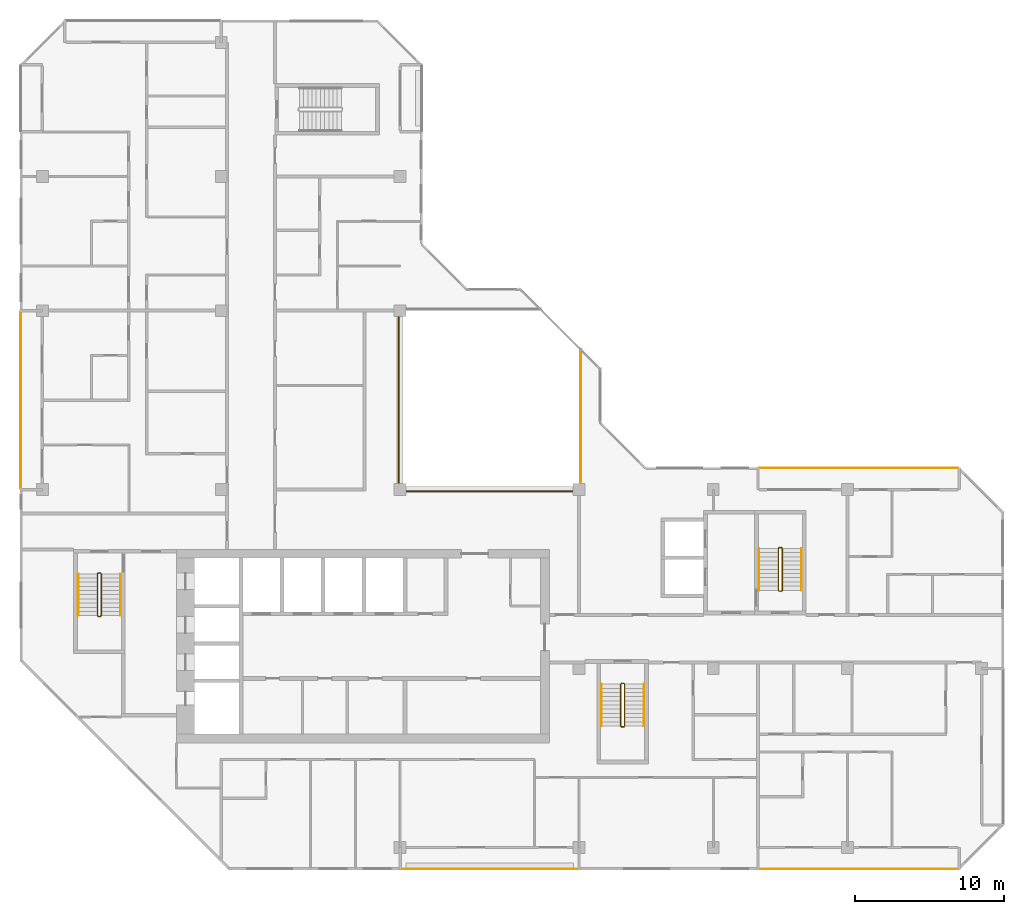
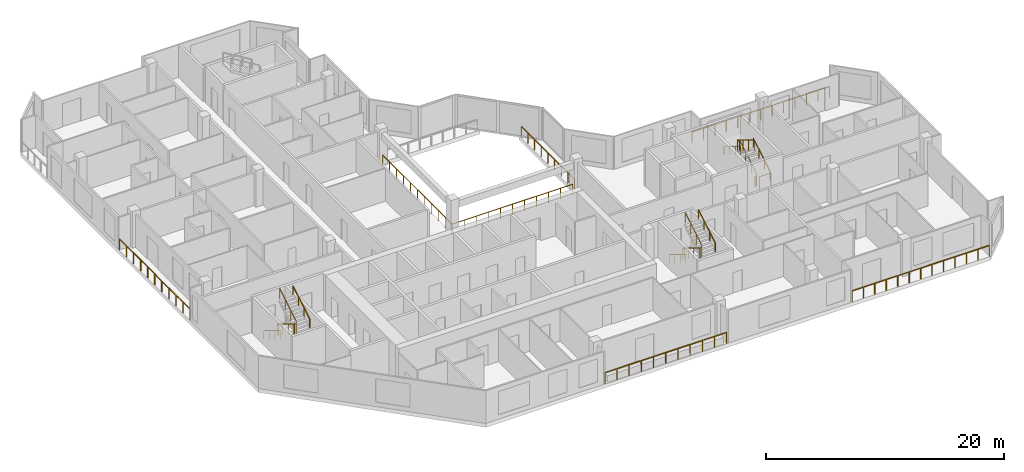
# One storey, part 12 of 13: 15 railings.
"""IFC4 building model written with IfcOpenShell, lengths in metres."""

from ifc_helpers import new_model, si_unit, direction, frame, origin, origin_2d, place, context, subcontext, project, spatial, rectangle, extrude, material, type_object, element, save


model = new_model("IFC4")

# Units and contexts
model_context = context("Model", 3, precision=1e-05, world=origin(), true_north=direction((0.0, 1.0)))
body_context = subcontext(model_context, "Body", "Model", "MODEL_VIEW")
ifc_project = project(units=[si_unit("LENGTHUNIT", "METRE"), si_unit("AREAUNIT", "SQUARE_METRE"), si_unit("VOLUMEUNIT", "CUBIC_METRE"), si_unit("PLANEANGLEUNIT", "RADIAN"), si_unit("MASSUNIT", "GRAM", prefix="KILO")], contexts=[model_context])

# Site, building, storey
site_placement = place(None, origin())
site = spatial("IfcSite", under=ifc_project, at=site_placement, CompositionType="ELEMENT")
building_placement = place(site_placement, origin())
building = spatial("IfcBuilding", under=site, at=building_placement, Name="Chenar Terraces", CompositionType="ELEMENT")
storey_placement = place(building_placement, frame((0.0, 0.0, 307.14990234375)))
storey = spatial("IfcBuildingStorey", under=building, at=storey_placement, Name="L72", CompositionType="ELEMENT", Elevation=307.14990234375)

# Railings
ifc_material_1 = material(Name="Powder-coated steel", Category="steel")
railing_type_1 = type_object("IfcRailingType", Name="Guard 1100 steel rail with glass infill", PredefinedType="GUARDRAIL", material=ifc_material_1)
railing_1_placement = place(storey_placement, frame((23.89990234375, 35.60009765625, 0.0)))
element("IfcRailing", 1, at=railing_1_placement, inside=storey, type_object=railing_type_1, Name="Guard L72-1", PredefinedType="GUARDRAIL", context=body_context, shape_type="SweptSolid", body=[
    extrude(rectangle(XDim=0.06005859375, YDim=0.06005859375, at=origin_2d()), frame((0.0, 0.0, 1.070068359375), z_axis=(0.0, -1.0, 0.0), x_axis=(1.0, 0.0, 0.0)), (0.0, 0.0, 1.0), 11.7001953125),
    extrude(rectangle(XDim=0.06005859375, YDim=0.06005859375, at=origin_2d()), frame((0.0, -11.7001953125, 1.070068359375), z_axis=(1.0, 0.0, 0.0), x_axis=(0.0, 1.0, 0.0)), (0.0, 0.0, 1.0), 11.7001953125),
    extrude(rectangle(XDim=0.050048828125, YDim=0.050048828125, at=origin_2d()), origin(), (0.0, 0.0, 1.0), 1.0400390625),
    extrude(rectangle(XDim=0.050048828125, YDim=0.050048828125, at=origin_2d()), frame((0.0, -1.169921875, 0.0)), (0.0, 0.0, 1.0), 1.0400390625),
    extrude(rectangle(XDim=0.050048828125, YDim=0.050048828125, at=origin_2d()), frame((0.0, -2.340087890625, 0.0)), (0.0, 0.0, 1.0), 1.0400390625),
    extrude(rectangle(XDim=0.050048828125, YDim=0.050048828125, at=origin_2d()), frame((0.0, -3.510009765625, 0.0)), (0.0, 0.0, 1.0), 1.0400390625),
    extrude(rectangle(XDim=0.050048828125, YDim=0.050048828125, at=origin_2d()), frame((0.0, -4.68017578125, 0.0)), (0.0, 0.0, 1.0), 1.0400390625),
    extrude(rectangle(XDim=0.050048828125, YDim=0.050048828125, at=origin_2d()), frame((0.0, -5.85009765625, 0.0)), (0.0, 0.0, 1.0), 1.0400390625),
    extrude(rectangle(XDim=0.050048828125, YDim=0.050048828125, at=origin_2d()), frame((0.0, -7.02001953125, 0.0)), (0.0, 0.0, 1.0), 1.0400390625),
    extrude(rectangle(XDim=0.050048828125, YDim=0.050048828125, at=origin_2d()), frame((0.0, -8.190185546875, 0.0)), (0.0, 0.0, 1.0), 1.0400390625),
    extrude(rectangle(XDim=0.050048828125, YDim=0.050048828125, at=origin_2d()), frame((0.0, -9.360107421875, 0.0)), (0.0, 0.0, 1.0), 1.0400390625),
    extrude(rectangle(XDim=0.050048828125, YDim=0.050048828125, at=origin_2d()), frame((0.0, -10.5302734375, 0.0)), (0.0, 0.0, 1.0), 1.0400390625),
    extrude(rectangle(XDim=0.050048828125, YDim=0.050048828125, at=origin_2d()), frame((0.0, -11.7001953125, 0.0)), (0.0, 0.0, 1.0), 1.0400390625),
    extrude(rectangle(XDim=0.050048828125, YDim=0.050048828125, at=origin_2d()), frame((1.169921875, -11.7001953125, 0.0)), (0.0, 0.0, 1.0), 1.0400390625),
    extrude(rectangle(XDim=0.050048828125, YDim=0.050048828125, at=origin_2d()), frame((2.340087890625, -11.7001953125, 0.0)), (0.0, 0.0, 1.0), 1.0400390625),
    extrude(rectangle(XDim=0.050048828125, YDim=0.050048828125, at=origin_2d()), frame((3.510009765625, -11.7001953125, 0.0)), (0.0, 0.0, 1.0), 1.0400390625),
    extrude(rectangle(XDim=0.050048828125, YDim=0.050048828125, at=origin_2d()), frame((4.68017578125, -11.7001953125, 0.0)), (0.0, 0.0, 1.0), 1.0400390625),
    extrude(rectangle(XDim=0.050048828125, YDim=0.050048828125, at=origin_2d()), frame((5.85009765625, -11.7001953125, 0.0)), (0.0, 0.0, 1.0), 1.0400390625),
    extrude(rectangle(XDim=0.050048828125, YDim=0.050048828125, at=origin_2d()), frame((7.02001953125, -11.7001953125, 0.0)), (0.0, 0.0, 1.0), 1.0400390625),
    extrude(rectangle(XDim=0.050048828125, YDim=0.050048828125, at=origin_2d()), frame((8.190185546875, -11.7001953125, 0.0)), (0.0, 0.0, 1.0), 1.0400390625),
    extrude(rectangle(XDim=0.050048828125, YDim=0.050048828125, at=origin_2d()), frame((9.360107421875, -11.7001953125, 0.0)), (0.0, 0.0, 1.0), 1.0400390625),
    extrude(rectangle(XDim=0.050048828125, YDim=0.050048828125, at=origin_2d()), frame((10.5302734375, -11.7001953125, 0.0)), (0.0, 0.0, 1.0), 1.0400390625),
    extrude(rectangle(XDim=0.050048828125, YDim=0.050048828125, at=origin_2d()), frame((11.7001953125, -11.7001953125, 0.0)), (0.0, 0.0, 1.0), 1.0400390625),
])
railing_2_placement = place(storey_placement, frame((36.10009765625, 24.449951171875, 0.0)))
element("IfcRailing", 2, at=railing_2_placement, inside=storey, type_object=railing_type_1, Name="Guard L72-3", PredefinedType="GUARDRAIL", context=body_context, shape_type="SweptSolid", body=[
    extrude(rectangle(XDim=0.06005859375, YDim=0.06005859375, at=origin_2d()), frame((0.0, 0.0, 1.070068359375), z_axis=(0.0, 1.0, 0.0), x_axis=(-1.0, 0.0, 0.0)), (0.0, 0.0, 1.0), 8.949951171875),
    extrude(rectangle(XDim=0.050048828125, YDim=0.050048828125, at=origin_2d()), origin(), (0.0, 0.0, 1.0), 1.0400390625),
    extrude(rectangle(XDim=0.050048828125, YDim=0.050048828125, at=origin_2d()), frame((0.0, 1.11865234375, 0.0)), (0.0, 0.0, 1.0), 1.0400390625),
    extrude(rectangle(XDim=0.050048828125, YDim=0.050048828125, at=origin_2d()), frame((0.0, 2.237548828125, 0.0)), (0.0, 0.0, 1.0), 1.0400390625),
    extrude(rectangle(XDim=0.050048828125, YDim=0.050048828125, at=origin_2d()), frame((0.0, 3.356201171875, 0.0)), (0.0, 0.0, 1.0), 1.0400390625),
    extrude(rectangle(XDim=0.050048828125, YDim=0.050048828125, at=origin_2d()), frame((0.0, 4.47509765625, 0.0)), (0.0, 0.0, 1.0), 1.0400390625),
    extrude(rectangle(XDim=0.050048828125, YDim=0.050048828125, at=origin_2d()), frame((0.0, 5.59375, 0.0)), (0.0, 0.0, 1.0), 1.0400390625),
    extrude(rectangle(XDim=0.050048828125, YDim=0.050048828125, at=origin_2d()), frame((0.0, 6.71240234375, 0.0)), (0.0, 0.0, 1.0), 1.0400390625),
    extrude(rectangle(XDim=0.050048828125, YDim=0.050048828125, at=origin_2d()), frame((0.0, 7.831298828125, 0.0)), (0.0, 0.0, 1.0), 1.0400390625),
    extrude(rectangle(XDim=0.050048828125, YDim=0.050048828125, at=origin_2d()), frame((0.0, 8.949951171875, 0.0)), (0.0, 0.0, 1.0), 1.0400390625),
])
ifc_material_2 = material(Name="Stainless steel and glass", Category="steel")
railing_type_2 = type_object("IfcRailingType", Name="Loggia guard 1150", PredefinedType="GUARDRAIL", material=ifc_material_2)
railing_3_placement = place(storey_placement, frame((61.425048828125, 25.449951171875, 0.0)))
element("IfcRailing", 3, at=railing_3_placement, inside=storey, type_object=railing_type_2, Name="Loggia guard", PredefinedType="GUARDRAIL", context=body_context, shape_type="SweptSolid", body=[
    extrude(rectangle(XDim=0.048095703125, YDim=0.048095703125, at=origin_2d()), frame((0.0, 0.0, 1.1259765625), z_axis=(-1.0, 0.0, 0.0), x_axis=(0.0, -1.0, 0.0)), (0.0, 0.0, 1.0), 13.35009765625),
    extrude(rectangle(XDim=0.0419921875, YDim=0.0419921875, at=origin_2d()), origin(), (0.0, 0.0, 1.0), 1.101806640625),
    extrude(rectangle(XDim=0.0419921875, YDim=0.0419921875, at=origin_2d()), frame((-1.112548828125, 0.0, 0.0)), (0.0, 0.0, 1.0), 1.101806640625),
    extrude(rectangle(XDim=0.0419921875, YDim=0.0419921875, at=origin_2d()), frame((-2.22509765625, 0.0, 0.0)), (0.0, 0.0, 1.0), 1.101806640625),
    extrude(rectangle(XDim=0.0419921875, YDim=0.0419921875, at=origin_2d()), frame((-3.33740234375, 0.0, 0.0)), (0.0, 0.0, 1.0), 1.101806640625),
    extrude(rectangle(XDim=0.0419921875, YDim=0.0419921875, at=origin_2d()), frame((-4.449951171875, 0.0, 0.0)), (0.0, 0.0, 1.0), 1.101806640625),
    extrude(rectangle(XDim=0.0419921875, YDim=0.0419921875, at=origin_2d()), frame((-5.5625, 0.0, 0.0)), (0.0, 0.0, 1.0), 1.101806640625),
    extrude(rectangle(XDim=0.0419921875, YDim=0.0419921875, at=origin_2d()), frame((-6.675048828125, 0.0, 0.0)), (0.0, 0.0, 1.0), 1.101806640625),
    extrude(rectangle(XDim=0.0419921875, YDim=0.0419921875, at=origin_2d()), frame((-7.78759765625, 0.0, 0.0)), (0.0, 0.0, 1.0), 1.101806640625),
    extrude(rectangle(XDim=0.0419921875, YDim=0.0419921875, at=origin_2d()), frame((-8.900146484375, 0.0, 0.0)), (0.0, 0.0, 1.0), 1.101806640625),
    extrude(rectangle(XDim=0.0419921875, YDim=0.0419921875, at=origin_2d()), frame((-10.0126953125, 0.0, 0.0)), (0.0, 0.0, 1.0), 1.101806640625),
    extrude(rectangle(XDim=0.0419921875, YDim=0.0419921875, at=origin_2d()), frame((-11.125, 0.0, 0.0)), (0.0, 0.0, 1.0), 1.101806640625),
    extrude(rectangle(XDim=0.0419921875, YDim=0.0419921875, at=origin_2d()), frame((-12.237548828125, 0.0, 0.0)), (0.0, 0.0, 1.0), 1.101806640625),
    extrude(rectangle(XDim=0.0419921875, YDim=0.0419921875, at=origin_2d()), frame((-13.35009765625, 0.0, 0.0)), (0.0, 0.0, 1.0), 1.101806640625),
])
railing_4_placement = place(storey_placement, frame((24.074951171875, -1.449951171875, 0.0)))
element("IfcRailing", 4, at=railing_4_placement, inside=storey, type_object=railing_type_2, Name="Loggia guard", PredefinedType="GUARDRAIL", context=body_context, shape_type="SweptSolid", body=[
    extrude(rectangle(XDim=0.048095703125, YDim=0.048095703125, at=origin_2d()), frame((0.0, 0.0, 1.1259765625), z_axis=(1.0, 0.0, 0.0), x_axis=(0.0, 1.0, 0.0)), (0.0, 0.0, 1.0), 11.85009765625),
    extrude(rectangle(XDim=0.0419921875, YDim=0.0419921875, at=origin_2d()), origin(), (0.0, 0.0, 1.0), 1.101806640625),
    extrude(rectangle(XDim=0.0419921875, YDim=0.0419921875, at=origin_2d()), frame((1.18505859375, 0.0, 0.0)), (0.0, 0.0, 1.0), 1.101806640625),
    extrude(rectangle(XDim=0.0419921875, YDim=0.0419921875, at=origin_2d()), frame((2.3701171875, 0.0, 0.0)), (0.0, 0.0, 1.0), 1.101806640625),
    extrude(rectangle(XDim=0.0419921875, YDim=0.0419921875, at=origin_2d()), frame((3.554931640625, 0.0, 0.0)), (0.0, 0.0, 1.0), 1.101806640625),
    extrude(rectangle(XDim=0.0419921875, YDim=0.0419921875, at=origin_2d()), frame((4.739990234375, 0.0, 0.0)), (0.0, 0.0, 1.0), 1.101806640625),
    extrude(rectangle(XDim=0.0419921875, YDim=0.0419921875, at=origin_2d()), frame((5.925048828125, 0.0, 0.0)), (0.0, 0.0, 1.0), 1.101806640625),
    extrude(rectangle(XDim=0.0419921875, YDim=0.0419921875, at=origin_2d()), frame((7.110107421875, 0.0, 0.0)), (0.0, 0.0, 1.0), 1.101806640625),
    extrude(rectangle(XDim=0.0419921875, YDim=0.0419921875, at=origin_2d()), frame((8.295166015625, 0.0, 0.0)), (0.0, 0.0, 1.0), 1.101806640625),
    extrude(rectangle(XDim=0.0419921875, YDim=0.0419921875, at=origin_2d()), frame((9.47998046875, 0.0, 0.0)), (0.0, 0.0, 1.0), 1.101806640625),
    extrude(rectangle(XDim=0.0419921875, YDim=0.0419921875, at=origin_2d()), frame((10.6650390625, 0.0, 0.0)), (0.0, 0.0, 1.0), 1.101806640625),
    extrude(rectangle(XDim=0.0419921875, YDim=0.0419921875, at=origin_2d()), frame((11.85009765625, 0.0, 0.0)), (0.0, 0.0, 1.0), 1.101806640625),
])
railing_5_placement = place(storey_placement, frame((48.074951171875, -1.449951171875, 0.0)))
element("IfcRailing", 5, at=railing_5_placement, inside=storey, type_object=railing_type_2, Name="Loggia guard", PredefinedType="GUARDRAIL", context=body_context, shape_type="SweptSolid", body=[
    extrude(rectangle(XDim=0.048095703125, YDim=0.048095703125, at=origin_2d()), frame((0.0, 0.0, 1.1259765625), z_axis=(1.0, 0.0, 0.0), x_axis=(0.0, 1.0, 0.0)), (0.0, 0.0, 1.0), 13.35009765625),
    extrude(rectangle(XDim=0.0419921875, YDim=0.0419921875, at=origin_2d()), origin(), (0.0, 0.0, 1.0), 1.101806640625),
    extrude(rectangle(XDim=0.0419921875, YDim=0.0419921875, at=origin_2d()), frame((1.112548828125, 0.0, 0.0)), (0.0, 0.0, 1.0), 1.101806640625),
    extrude(rectangle(XDim=0.0419921875, YDim=0.0419921875, at=origin_2d()), frame((2.22509765625, 0.0, 0.0)), (0.0, 0.0, 1.0), 1.101806640625),
    extrude(rectangle(XDim=0.0419921875, YDim=0.0419921875, at=origin_2d()), frame((3.33740234375, 0.0, 0.0)), (0.0, 0.0, 1.0), 1.101806640625),
    extrude(rectangle(XDim=0.0419921875, YDim=0.0419921875, at=origin_2d()), frame((4.449951171875, 0.0, 0.0)), (0.0, 0.0, 1.0), 1.101806640625),
    extrude(rectangle(XDim=0.0419921875, YDim=0.0419921875, at=origin_2d()), frame((5.5625, 0.0, 0.0)), (0.0, 0.0, 1.0), 1.101806640625),
    extrude(rectangle(XDim=0.0419921875, YDim=0.0419921875, at=origin_2d()), frame((6.675048828125, 0.0, 0.0)), (0.0, 0.0, 1.0), 1.101806640625),
    extrude(rectangle(XDim=0.0419921875, YDim=0.0419921875, at=origin_2d()), frame((7.78759765625, 0.0, 0.0)), (0.0, 0.0, 1.0), 1.101806640625),
    extrude(rectangle(XDim=0.0419921875, YDim=0.0419921875, at=origin_2d()), frame((8.900146484375, 0.0, 0.0)), (0.0, 0.0, 1.0), 1.101806640625),
    extrude(rectangle(XDim=0.0419921875, YDim=0.0419921875, at=origin_2d()), frame((10.0126953125, 0.0, 0.0)), (0.0, 0.0, 1.0), 1.101806640625),
    extrude(rectangle(XDim=0.0419921875, YDim=0.0419921875, at=origin_2d()), frame((11.125, 0.0, 0.0)), (0.0, 0.0, 1.0), 1.101806640625),
    extrude(rectangle(XDim=0.0419921875, YDim=0.0419921875, at=origin_2d()), frame((12.237548828125, 0.0, 0.0)), (0.0, 0.0, 1.0), 1.101806640625),
    extrude(rectangle(XDim=0.0419921875, YDim=0.0419921875, at=origin_2d()), frame((13.35009765625, 0.0, 0.0)), (0.0, 0.0, 1.0), 1.101806640625),
])
railing_6_placement = place(storey_placement, frame((-1.449951171875, 35.925048828125, 0.0)))
element("IfcRailing", 6, at=railing_6_placement, inside=storey, type_object=railing_type_2, Name="Loggia guard", PredefinedType="GUARDRAIL", context=body_context, shape_type="SweptSolid", body=[
    extrude(rectangle(XDim=0.048095703125, YDim=0.048095703125, at=origin_2d()), frame((0.0, 0.0, 1.1259765625), z_axis=(0.0, -1.0, 0.0), x_axis=(1.0, 0.0, 0.0)), (0.0, 0.0, 1.0), 11.85009765625),
    extrude(rectangle(XDim=0.0419921875, YDim=0.0419921875, at=origin_2d()), origin(), (0.0, 0.0, 1.0), 1.101806640625),
    extrude(rectangle(XDim=0.0419921875, YDim=0.0419921875, at=origin_2d()), frame((0.0, -1.18505859375, 0.0)), (0.0, 0.0, 1.0), 1.101806640625),
    extrude(rectangle(XDim=0.0419921875, YDim=0.0419921875, at=origin_2d()), frame((0.0, -2.3701171875, 0.0)), (0.0, 0.0, 1.0), 1.101806640625),
    extrude(rectangle(XDim=0.0419921875, YDim=0.0419921875, at=origin_2d()), frame((0.0, -3.554931640625, 0.0)), (0.0, 0.0, 1.0), 1.101806640625),
    extrude(rectangle(XDim=0.0419921875, YDim=0.0419921875, at=origin_2d()), frame((0.0, -4.739990234375, 0.0)), (0.0, 0.0, 1.0), 1.101806640625),
    extrude(rectangle(XDim=0.0419921875, YDim=0.0419921875, at=origin_2d()), frame((0.0, -5.925048828125, 0.0)), (0.0, 0.0, 1.0), 1.101806640625),
    extrude(rectangle(XDim=0.0419921875, YDim=0.0419921875, at=origin_2d()), frame((0.0, -7.110107421875, 0.0)), (0.0, 0.0, 1.0), 1.101806640625),
    extrude(rectangle(XDim=0.0419921875, YDim=0.0419921875, at=origin_2d()), frame((0.0, -8.295166015625, 0.0)), (0.0, 0.0, 1.0), 1.101806640625),
    extrude(rectangle(XDim=0.0419921875, YDim=0.0419921875, at=origin_2d()), frame((0.0, -9.47998046875, 0.0)), (0.0, 0.0, 1.0), 1.101806640625),
    extrude(rectangle(XDim=0.0419921875, YDim=0.0419921875, at=origin_2d()), frame((0.0, -10.6650390625, 0.0)), (0.0, 0.0, 1.0), 1.101806640625),
    extrude(rectangle(XDim=0.0419921875, YDim=0.0419921875, at=origin_2d()), frame((0.0, -11.85009765625, 0.0)), (0.0, 0.0, 1.0), 1.101806640625),
])
ifc_material_3 = material(Name="Powder-coated steel", Category="steel")
railing_type_3 = type_object("IfcRailingType", Name="Stair guard 1100", PredefinedType="GUARDRAIL", material=ifc_material_3)
railing_7_placement = place(storey_placement, frame((3.949951171875, 18.35009765625, 3.75)))
element("IfcRailing", 7, at=railing_7_placement, inside=storey, type_object=railing_type_3, Name="L72 ST1 stair guard 1", PredefinedType="GUARDRAIL", context=body_context, shape_type="SweptSolid", body=[
    extrude(rectangle(XDim=0.048095703125, YDim=0.048095703125, at=origin_2d()), frame((0.0, 0.0, 1.076171875), z_axis=(0.0, -0.854202870247, -0.519939858505), x_axis=(1.0, 0.0, 0.0)), (0.0, 0.0, 1.0), 3.278076171875),
    extrude(rectangle(XDim=0.048095703125, YDim=0.048095703125, at=origin_2d()), frame((0.0, -2.800048828125, -0.62841796875), z_axis=(-0.270899902878, -0.270899902878, -0.923702595667), x_axis=(0.707106781187, -0.707106781187, 0.0)), (0.0, 0.0, 1.0), 0.184814453125),
    extrude(rectangle(XDim=0.048095703125, YDim=0.048095703125, at=origin_2d()), frame((-0.050048828125, -2.85009765625, -0.798828125), z_axis=(-1.0, 0.0, 0.0), x_axis=(0.0, -1.0, 0.0)), (0.0, 0.0, 1.0), 0.14990234375),
    extrude(rectangle(XDim=0.048095703125, YDim=0.048095703125, at=origin_2d()), frame((-0.199951171875, -2.85009765625, -0.798828125), z_axis=(-0.707106781187, 0.707106781187, 0.0), x_axis=(-0.707106781187, -0.707106781187, 0.0)), (0.0, 0.0, 1.0), 0.07080078125),
    extrude(rectangle(XDim=0.048095703125, YDim=0.048095703125, at=origin_2d()), frame((-0.25, -2.800048828125, -0.798828125), z_axis=(0.0, 0.854202870247, -0.519939858505), x_axis=(-1.0, 0.0, 0.0)), (0.0, 0.0, 1.0), 3.278076171875),
    extrude(rectangle(XDim=0.048095703125, YDim=0.048095703125, at=origin_2d()), frame((-0.25, 0.0, -2.50341796875), z_axis=(0.270996696079, 0.269674760976, -0.924032636873), x_axis=(-0.705375805398, 0.708833529934, 0.0)), (0.0, 0.0, 1.0), 0.1845703125),
    extrude(rectangle(XDim=0.048095703125, YDim=0.048095703125, at=origin_2d()), frame((-0.199951171875, 0.0498046875, -2.673828125), z_axis=(1.0, 0.0, 0.0), x_axis=(0.0, 1.0, 0.0)), (0.0, 0.0, 1.0), 0.14990234375),
    extrude(rectangle(XDim=0.0419921875, YDim=0.0419921875, at=origin_2d()), origin(), (0.0, 0.0, 1.0), 1.052001953125),
    extrude(rectangle(XDim=0.0419921875, YDim=0.0419921875, at=origin_2d()), frame((0.0, -0.933349609375, -0.568115234375)), (0.0, 0.0, 1.0), 1.052001953125),
    extrude(rectangle(XDim=0.0419921875, YDim=0.0419921875, at=origin_2d()), frame((0.0, -1.86669921875, -1.13623046875)), (0.0, 0.0, 1.0), 1.052001953125),
    extrude(rectangle(XDim=0.0419921875, YDim=0.0419921875, at=origin_2d()), frame((0.0, -2.800048828125, -1.704345703125)), (0.0, 0.0, 1.0), 1.052001953125),
    extrude(rectangle(XDim=0.0419921875, YDim=0.0419921875, at=origin_2d()), frame((-0.050048828125, -2.85009765625, -1.875)), (0.0, 0.0, 1.0), 1.052001953125),
    extrude(rectangle(XDim=0.0419921875, YDim=0.0419921875, at=origin_2d()), frame((-0.199951171875, -2.85009765625, -1.875)), (0.0, 0.0, 1.0), 1.052001953125),
    extrude(rectangle(XDim=0.0419921875, YDim=0.0419921875, at=origin_2d()), frame((-0.25, -2.800048828125, -1.875)), (0.0, 0.0, 1.0), 1.052001953125),
    extrude(rectangle(XDim=0.0419921875, YDim=0.0419921875, at=origin_2d()), frame((-0.25, -1.86669921875, -2.443115234375)), (0.0, 0.0, 1.0), 1.052001953125),
    extrude(rectangle(XDim=0.0419921875, YDim=0.0419921875, at=origin_2d()), frame((-0.25, -0.933349609375, -3.01123046875)), (0.0, 0.0, 1.0), 1.052001953125),
    extrude(rectangle(XDim=0.0419921875, YDim=0.0419921875, at=origin_2d()), frame((-0.25, 0.0, -3.579345703125)), (0.0, 0.0, 1.0), 1.052001953125),
    extrude(rectangle(XDim=0.0419921875, YDim=0.0419921875, at=origin_2d()), frame((-0.199951171875, 0.0498046875, -3.75)), (0.0, 0.0, 1.0), 1.052001953125),
    extrude(rectangle(XDim=0.0419921875, YDim=0.0419921875, at=origin_2d()), frame((-0.050048828125, 0.0498046875, -3.75)), (0.0, 0.0, 1.0), 1.052001953125),
])
railing_8_placement = place(storey_placement, frame((39.050048828125, 10.949951171875, 3.75)))
element("IfcRailing", 8, at=railing_8_placement, inside=storey, type_object=railing_type_3, Name="L72 ST2 stair guard 1", PredefinedType="GUARDRAIL", context=body_context, shape_type="SweptSolid", body=[
    extrude(rectangle(XDim=0.048095703125, YDim=0.048095703125, at=origin_2d()), frame((0.0, 0.0, 1.076171875), z_axis=(0.0, -0.854202870247, -0.519939858505), x_axis=(1.0, 0.0, 0.0)), (0.0, 0.0, 1.0), 3.278076171875),
    extrude(rectangle(XDim=0.048095703125, YDim=0.048095703125, at=origin_2d()), frame((0.0, -2.800048828125, -0.62841796875), z_axis=(-0.270996696079, -0.269674760976, -0.924032636873), x_axis=(0.705375805398, -0.708833529934, 0.0)), (0.0, 0.0, 1.0), 0.1845703125),
    extrude(rectangle(XDim=0.048095703125, YDim=0.048095703125, at=origin_2d()), frame((-0.050048828125, -2.849853515625, -0.798828125), z_axis=(-1.0, 0.0, 0.0), x_axis=(0.0, -1.0, 0.0)), (0.0, 0.0, 1.0), 0.14990234375),
    extrude(rectangle(XDim=0.048095703125, YDim=0.048095703125, at=origin_2d()), frame((-0.199951171875, -2.849853515625, -0.798828125), z_axis=(-0.708833529934, 0.705375805398, 0.0), x_axis=(-0.705375805398, -0.708833529934, 0.0)), (0.0, 0.0, 1.0), 0.070556640625),
    extrude(rectangle(XDim=0.048095703125, YDim=0.048095703125, at=origin_2d()), frame((-0.25, -2.800048828125, -0.798828125), z_axis=(0.0, 0.854202870247, -0.519939858505), x_axis=(-1.0, 0.0, 0.0)), (0.0, 0.0, 1.0), 3.278076171875),
    extrude(rectangle(XDim=0.048095703125, YDim=0.048095703125, at=origin_2d()), frame((-0.25, 0.0, -2.50341796875), z_axis=(0.270899902878, 0.270899902878, -0.923702595667), x_axis=(-0.707106781187, 0.707106781187, 0.0)), (0.0, 0.0, 1.0), 0.184814453125),
    extrude(rectangle(XDim=0.048095703125, YDim=0.048095703125, at=origin_2d()), frame((-0.199951171875, 0.050048828125, -2.673828125), z_axis=(1.0, 0.0, 0.0), x_axis=(0.0, 1.0, 0.0)), (0.0, 0.0, 1.0), 0.14990234375),
    extrude(rectangle(XDim=0.0419921875, YDim=0.0419921875, at=origin_2d()), origin(), (0.0, 0.0, 1.0), 1.052001953125),
    extrude(rectangle(XDim=0.0419921875, YDim=0.0419921875, at=origin_2d()), frame((0.0, -0.933349609375, -0.568115234375)), (0.0, 0.0, 1.0), 1.052001953125),
    extrude(rectangle(XDim=0.0419921875, YDim=0.0419921875, at=origin_2d()), frame((0.0, -1.86669921875, -1.13623046875)), (0.0, 0.0, 1.0), 1.052001953125),
    extrude(rectangle(XDim=0.0419921875, YDim=0.0419921875, at=origin_2d()), frame((0.0, -2.800048828125, -1.704345703125)), (0.0, 0.0, 1.0), 1.052001953125),
    extrude(rectangle(XDim=0.0419921875, YDim=0.0419921875, at=origin_2d()), frame((-0.050048828125, -2.849853515625, -1.875)), (0.0, 0.0, 1.0), 1.052001953125),
    extrude(rectangle(XDim=0.0419921875, YDim=0.0419921875, at=origin_2d()), frame((-0.199951171875, -2.849853515625, -1.875)), (0.0, 0.0, 1.0), 1.052001953125),
    extrude(rectangle(XDim=0.0419921875, YDim=0.0419921875, at=origin_2d()), frame((-0.25, -2.800048828125, -1.875)), (0.0, 0.0, 1.0), 1.052001953125),
    extrude(rectangle(XDim=0.0419921875, YDim=0.0419921875, at=origin_2d()), frame((-0.25, -1.86669921875, -2.443115234375)), (0.0, 0.0, 1.0), 1.052001953125),
    extrude(rectangle(XDim=0.0419921875, YDim=0.0419921875, at=origin_2d()), frame((-0.25, -0.933349609375, -3.01123046875)), (0.0, 0.0, 1.0), 1.052001953125),
    extrude(rectangle(XDim=0.0419921875, YDim=0.0419921875, at=origin_2d()), frame((-0.25, 0.0, -3.579345703125)), (0.0, 0.0, 1.0), 1.052001953125),
    extrude(rectangle(XDim=0.0419921875, YDim=0.0419921875, at=origin_2d()), frame((-0.199951171875, 0.050048828125, -3.75)), (0.0, 0.0, 1.0), 1.052001953125),
    extrude(rectangle(XDim=0.0419921875, YDim=0.0419921875, at=origin_2d()), frame((-0.050048828125, 0.050048828125, -3.75)), (0.0, 0.0, 1.0), 1.052001953125),
])
railing_9_placement = place(storey_placement, frame((49.375, 17.25, 3.75)))
element("IfcRailing", 9, at=railing_9_placement, inside=storey, type_object=railing_type_3, Name="L72 ST3 stair guard 1", PredefinedType="GUARDRAIL", context=body_context, shape_type="SweptSolid", body=[
    extrude(rectangle(XDim=0.048095703125, YDim=0.048095703125, at=origin_2d()), frame((0.0, 0.0, 1.076171875), z_axis=(0.0, 0.854202870247, -0.519939858505), x_axis=(-1.0, 0.0, 0.0)), (0.0, 0.0, 1.0), 3.278076171875),
    extrude(rectangle(XDim=0.048095703125, YDim=0.048095703125, at=origin_2d()), frame((0.0, 2.800048828125, -0.62841796875), z_axis=(0.270899902878, 0.270899902878, -0.923702595667), x_axis=(-0.707106781187, 0.707106781187, 0.0)), (0.0, 0.0, 1.0), 0.184814453125),
    extrude(rectangle(XDim=0.048095703125, YDim=0.048095703125, at=origin_2d()), frame((0.050048828125, 2.85009765625, -0.798828125), z_axis=(1.0, 0.0, 0.0), x_axis=(0.0, 1.0, 0.0)), (0.0, 0.0, 1.0), 0.14990234375),
    extrude(rectangle(XDim=0.048095703125, YDim=0.048095703125, at=origin_2d()), frame((0.199951171875, 2.85009765625, -0.798828125), z_axis=(0.707106781187, -0.707106781187, 0.0), x_axis=(0.707106781187, 0.707106781187, 0.0)), (0.0, 0.0, 1.0), 0.07080078125),
    extrude(rectangle(XDim=0.048095703125, YDim=0.048095703125, at=origin_2d()), frame((0.25, 2.800048828125, -0.798828125), z_axis=(0.0, -0.854202870247, -0.519939858505), x_axis=(1.0, 0.0, 0.0)), (0.0, 0.0, 1.0), 3.278076171875),
    extrude(rectangle(XDim=0.048095703125, YDim=0.048095703125, at=origin_2d()), frame((0.25, 0.0, -2.50341796875), z_axis=(-0.270899902878, -0.270899902878, -0.923702595667), x_axis=(0.707106781187, -0.707106781187, 0.0)), (0.0, 0.0, 1.0), 0.184814453125),
    extrude(rectangle(XDim=0.048095703125, YDim=0.048095703125, at=origin_2d()), frame((0.199951171875, -0.050048828125, -2.673828125), z_axis=(-1.0, 0.0, 0.0), x_axis=(0.0, -1.0, 0.0)), (0.0, 0.0, 1.0), 0.14990234375),
    extrude(rectangle(XDim=0.0419921875, YDim=0.0419921875, at=origin_2d()), origin(), (0.0, 0.0, 1.0), 1.052001953125),
    extrude(rectangle(XDim=0.0419921875, YDim=0.0419921875, at=origin_2d()), frame((0.0, 0.933349609375, -0.568115234375)), (0.0, 0.0, 1.0), 1.052001953125),
    extrude(rectangle(XDim=0.0419921875, YDim=0.0419921875, at=origin_2d()), frame((0.0, 1.86669921875, -1.13623046875)), (0.0, 0.0, 1.0), 1.052001953125),
    extrude(rectangle(XDim=0.0419921875, YDim=0.0419921875, at=origin_2d()), frame((0.0, 2.800048828125, -1.704345703125)), (0.0, 0.0, 1.0), 1.052001953125),
    extrude(rectangle(XDim=0.0419921875, YDim=0.0419921875, at=origin_2d()), frame((0.050048828125, 2.85009765625, -1.875)), (0.0, 0.0, 1.0), 1.052001953125),
    extrude(rectangle(XDim=0.0419921875, YDim=0.0419921875, at=origin_2d()), frame((0.199951171875, 2.85009765625, -1.875)), (0.0, 0.0, 1.0), 1.052001953125),
    extrude(rectangle(XDim=0.0419921875, YDim=0.0419921875, at=origin_2d()), frame((0.25, 2.800048828125, -1.875)), (0.0, 0.0, 1.0), 1.052001953125),
    extrude(rectangle(XDim=0.0419921875, YDim=0.0419921875, at=origin_2d()), frame((0.25, 1.86669921875, -2.443115234375)), (0.0, 0.0, 1.0), 1.052001953125),
    extrude(rectangle(XDim=0.0419921875, YDim=0.0419921875, at=origin_2d()), frame((0.25, 0.933349609375, -3.01123046875)), (0.0, 0.0, 1.0), 1.052001953125),
    extrude(rectangle(XDim=0.0419921875, YDim=0.0419921875, at=origin_2d()), frame((0.25, 0.0, -3.579345703125)), (0.0, 0.0, 1.0), 1.052001953125),
    extrude(rectangle(XDim=0.0419921875, YDim=0.0419921875, at=origin_2d()), frame((0.199951171875, -0.050048828125, -3.75)), (0.0, 0.0, 1.0), 1.052001953125),
    extrude(rectangle(XDim=0.0419921875, YDim=0.0419921875, at=origin_2d()), frame((0.050048828125, -0.050048828125, -3.75)), (0.0, 0.0, 1.0), 1.052001953125),
])
ifc_material_4 = material(Name="Powder-coated steel", Category="steel")
railing_type_4 = type_object("IfcRailingType", Name="Stair handrail 900", PredefinedType="HANDRAIL", material=ifc_material_4)
railing_10_placement = place(storey_placement, frame((2.39990234375, 18.35009765625, 0.170654296875)))
element("IfcRailing", 10, at=railing_10_placement, inside=storey, type_object=railing_type_4, Name="L72 ST1 stair handrail 1", PredefinedType="HANDRAIL", context=body_context, shape_type="SweptSolid", body=[
    extrude(rectangle(XDim=0.048095703125, YDim=0.048095703125, at=origin_2d()), frame((0.0, 0.0, 0.8759765625), z_axis=(0.0, -0.854202870247, 0.519939858505), x_axis=(1.0, 0.0, 0.0)), (0.0, 0.0, 1.0), 3.278076171875),
    extrude(rectangle(XDim=0.0419921875, YDim=0.0419921875, at=origin_2d()), origin(), (0.0, 0.0, 1.0), 0.851806640625),
    extrude(rectangle(XDim=0.0419921875, YDim=0.0419921875, at=origin_2d()), frame((0.0, -0.933349609375, 0.568115234375)), (0.0, 0.0, 1.0), 0.851806640625),
    extrude(rectangle(XDim=0.0419921875, YDim=0.0419921875, at=origin_2d()), frame((0.0, -1.86669921875, 1.13623046875)), (0.0, 0.0, 1.0), 0.851806640625),
    extrude(rectangle(XDim=0.0419921875, YDim=0.0419921875, at=origin_2d()), frame((0.0, -2.800048828125, 1.704345703125)), (0.0, 0.0, 1.0), 0.851806640625),
])
railing_11_placement = place(storey_placement, frame((5.25, 15.550048828125, 2.045654296875)))
element("IfcRailing", 11, at=railing_11_placement, inside=storey, type_object=railing_type_4, Name="L72 ST1 stair handrail 2", PredefinedType="HANDRAIL", context=body_context, shape_type="SweptSolid", body=[
    extrude(rectangle(XDim=0.048095703125, YDim=0.048095703125, at=origin_2d()), frame((0.0, 0.0, 0.8759765625), z_axis=(0.0, 0.854202870247, 0.519939858505), x_axis=(-1.0, 0.0, 0.0)), (0.0, 0.0, 1.0), 3.278076171875),
    extrude(rectangle(XDim=0.0419921875, YDim=0.0419921875, at=origin_2d()), origin(), (0.0, 0.0, 1.0), 0.851806640625),
    extrude(rectangle(XDim=0.0419921875, YDim=0.0419921875, at=origin_2d()), frame((0.0, 0.933349609375, 0.568115234375)), (0.0, 0.0, 1.0), 0.851806640625),
    extrude(rectangle(XDim=0.0419921875, YDim=0.0419921875, at=origin_2d()), frame((0.0, 1.86669921875, 1.13623046875)), (0.0, 0.0, 1.0), 0.851806640625),
    extrude(rectangle(XDim=0.0419921875, YDim=0.0419921875, at=origin_2d()), frame((0.0, 2.800048828125, 1.704345703125)), (0.0, 0.0, 1.0), 0.851806640625),
])
railing_12_placement = place(storey_placement, frame((37.5, 10.949951171875, 0.170654296875)))
element("IfcRailing", 12, at=railing_12_placement, inside=storey, type_object=railing_type_4, Name="L72 ST2 stair handrail 1", PredefinedType="HANDRAIL", context=body_context, shape_type="SweptSolid", body=[
    extrude(rectangle(XDim=0.048095703125, YDim=0.048095703125, at=origin_2d()), frame((0.0, 0.0, 0.8759765625), z_axis=(0.0, -0.854202870247, 0.519939858505), x_axis=(1.0, 0.0, 0.0)), (0.0, 0.0, 1.0), 3.278076171875),
    extrude(rectangle(XDim=0.0419921875, YDim=0.0419921875, at=origin_2d()), origin(), (0.0, 0.0, 1.0), 0.851806640625),
    extrude(rectangle(XDim=0.0419921875, YDim=0.0419921875, at=origin_2d()), frame((0.0, -0.933349609375, 0.568115234375)), (0.0, 0.0, 1.0), 0.851806640625),
    extrude(rectangle(XDim=0.0419921875, YDim=0.0419921875, at=origin_2d()), frame((0.0, -1.86669921875, 1.13623046875)), (0.0, 0.0, 1.0), 0.851806640625),
    extrude(rectangle(XDim=0.0419921875, YDim=0.0419921875, at=origin_2d()), frame((0.0, -2.800048828125, 1.704345703125)), (0.0, 0.0, 1.0), 0.851806640625),
])
for number, where, name in (
    (13, (40.35009765625, 8.14990234375, 2.045654296875), "L72 ST2 stair handrail 2"),
    (14, (50.925048828125, 17.25, 0.170654296875), "L72 ST3 stair handrail 1"),
):
    element("IfcRailing", number, at=place(storey_placement, frame(where)), inside=storey, type_object=railing_type_4, Name=name, PredefinedType="HANDRAIL", context=body_context, shape_type="SweptSolid", body=[
        extrude(rectangle(XDim=0.048095703125, YDim=0.048095703125, at=origin_2d()), frame((0.0, 0.0, 0.8759765625), z_axis=(0.0, 0.854202870247, 0.519939858505), x_axis=(-1.0, 0.0, 0.0)), (0.0, 0.0, 1.0), 3.278076171875),
        extrude(rectangle(XDim=0.0419921875, YDim=0.0419921875, at=origin_2d()), origin(), (0.0, 0.0, 1.0), 0.851806640625),
        extrude(rectangle(XDim=0.0419921875, YDim=0.0419921875, at=origin_2d()), frame((0.0, 0.933349609375, 0.568115234375)), (0.0, 0.0, 1.0), 0.851806640625),
        extrude(rectangle(XDim=0.0419921875, YDim=0.0419921875, at=origin_2d()), frame((0.0, 1.86669921875, 1.13623046875)), (0.0, 0.0, 1.0), 0.851806640625),
        extrude(rectangle(XDim=0.0419921875, YDim=0.0419921875, at=origin_2d()), frame((0.0, 2.800048828125, 1.704345703125)), (0.0, 0.0, 1.0), 0.851806640625),
    ])
railing_13_placement = place(storey_placement, frame((48.074951171875, 20.050048828125, 2.045654296875)))
element("IfcRailing", 15, at=railing_13_placement, inside=storey, type_object=railing_type_4, Name="L72 ST3 stair handrail 2", PredefinedType="HANDRAIL", context=body_context, shape_type="SweptSolid", body=[
    extrude(rectangle(XDim=0.048095703125, YDim=0.048095703125, at=origin_2d()), frame((0.0, 0.0, 0.8759765625), z_axis=(0.0, -0.854202870247, 0.519939858505), x_axis=(1.0, 0.0, 0.0)), (0.0, 0.0, 1.0), 3.278076171875),
    extrude(rectangle(XDim=0.0419921875, YDim=0.0419921875, at=origin_2d()), origin(), (0.0, 0.0, 1.0), 0.851806640625),
    extrude(rectangle(XDim=0.0419921875, YDim=0.0419921875, at=origin_2d()), frame((0.0, -0.933349609375, 0.568115234375)), (0.0, 0.0, 1.0), 0.851806640625),
    extrude(rectangle(XDim=0.0419921875, YDim=0.0419921875, at=origin_2d()), frame((0.0, -1.86669921875, 1.13623046875)), (0.0, 0.0, 1.0), 0.851806640625),
    extrude(rectangle(XDim=0.0419921875, YDim=0.0419921875, at=origin_2d()), frame((0.0, -2.800048828125, 1.704345703125)), (0.0, 0.0, 1.0), 0.851806640625),
])

save(model, "model.ifc")
